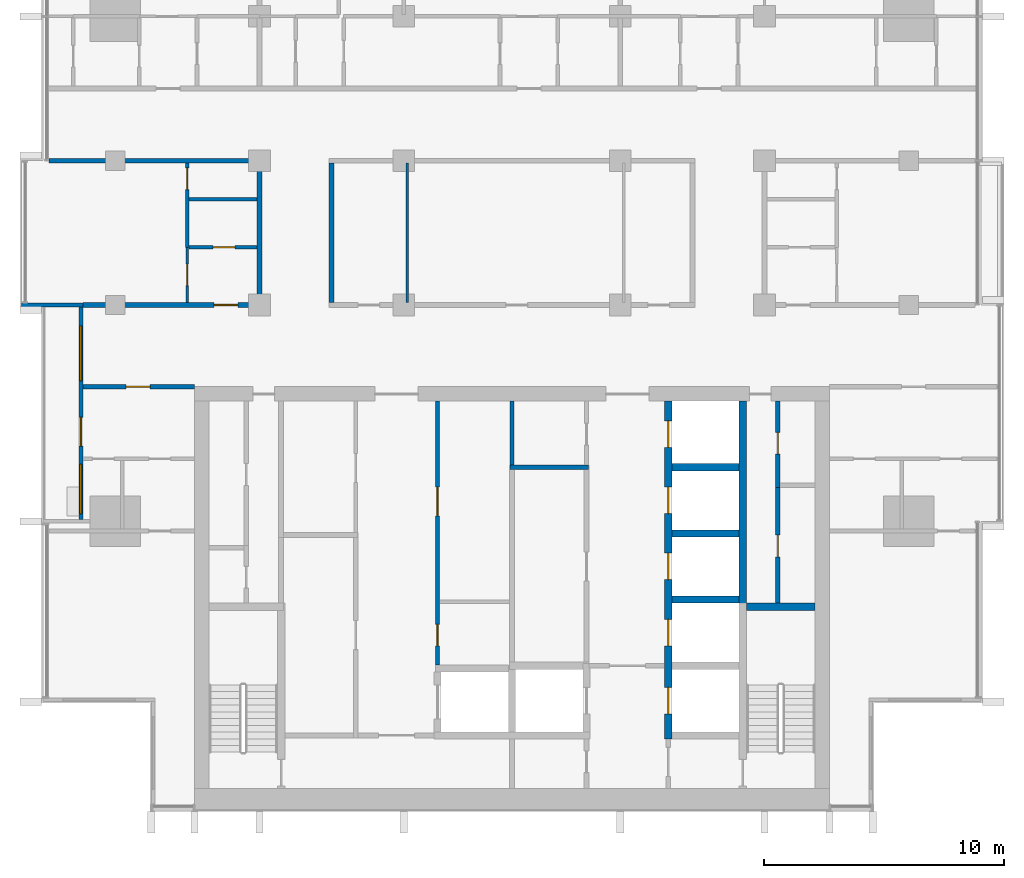
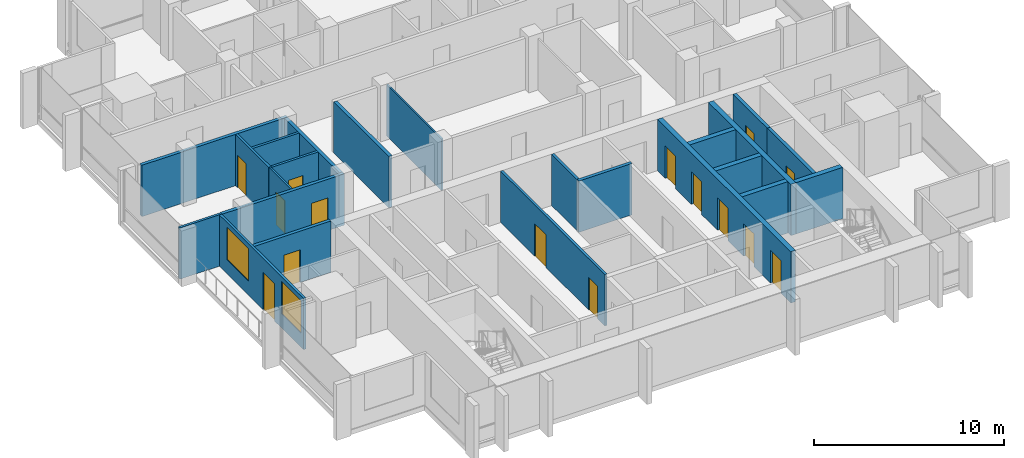
# One storey, part 8 of 16: 23 walls, 15 doors, 2 windows, 17 openings.
"""IFC4 building model written with IfcOpenShell, lengths in metres."""

from ifc_helpers import new_model, si_unit, direction, frame, frame_2d, origin, place, context, subcontext, project, spatial, rectangle, extrude, material, layer, layer_set, type_object, element, fill, save


model = new_model("IFC4")

# Units and contexts
model_context = context("Model", 3, precision=1e-05, world=origin(), true_north=direction((0.0, 1.0)))
body_context = subcontext(model_context, "Body", "Model", "MODEL_VIEW")
ifc_project = project(units=[si_unit("LENGTHUNIT", "METRE"), si_unit("AREAUNIT", "SQUARE_METRE"), si_unit("VOLUMEUNIT", "CUBIC_METRE"), si_unit("PLANEANGLEUNIT", "RADIAN"), si_unit("MASSUNIT", "GRAM", prefix="KILO")], contexts=[model_context])

# Site, building, storey
site_placement = place(None, origin())
site = spatial("IfcSite", under=ifc_project, at=site_placement, CompositionType="ELEMENT")
building_placement = place(site_placement, origin())
building = spatial("IfcBuilding", under=site, at=building_placement, Name="Finial Court Residences", CompositionType="ELEMENT")
storey_placement = place(building_placement, frame((0.0, 0.0, 215.89990234375)))
storey = spatial("IfcBuildingStorey", under=building, at=storey_placement, Name="L54", CompositionType="ELEMENT", Elevation=215.89990234375)

# Wall, openings, doors
ifc_material_1 = material(Name="Fire-rated gypsum board partition")
ifc_layer_1 = layer(ifc_material_1, 0.14990234375)
ifc_layer_set_1 = layer_set([ifc_layer_1], Name="Core room partition 150 EI 60")
wall_type_1 = type_object("IfcWallType", Name="Core room partition 150 EI 60", PredefinedType="PARTITIONING", material=ifc_layer_set_1)
wall_1_placement = place(storey_placement, frame((-3.10009765625, -8.5, 0.0), z_axis=(0.0, 0.0, 1.0), x_axis=(0.0, -1.0, 0.0)))
wall_1 = element("IfcWall", 1, at=wall_1_placement, inside=storey, type_object=wall_type_1, Name="Core partition L54-27", PredefinedType="PARTITIONING", context=body_context, shape_type="SweptSolid", body=[
    extrude(rectangle(XDim=10.969970703125, YDim=0.14990234375, at=frame_2d((5.48486328125, 0.0))), origin(), (0.0, 0.0, 1.0), 3.300048828125),
])
opening_1_placement = place(wall_1_placement, frame((9.280029296875, 0.0, 0.0)))
opening_1 = element("IfcOpeningElement", 2, at=opening_1_placement, cuts=wall_1, Name="Opening L54-C16", PredefinedType="OPENING", context=body_context, shape_type="SweptSolid", body=[
    extrude(rectangle(XDim=0.89990234375, YDim=2.10009765625, at=frame_2d((0.449951171875, 1.050048828125))), frame((0.0, 0.0849609375, 0.0), z_axis=(0.0, -1.0, 0.0), x_axis=(1.0, 0.0, 0.0)), (0.0, 0.0, 1.0), 0.169921875),
])
opening_2_placement = place(wall_1_placement, frame((3.570068359375, 0.0, 0.0)))
opening_2 = element("IfcOpeningElement", 3, at=opening_2_placement, cuts=wall_1, Name="Opening L54-C17", PredefinedType="OPENING", context=body_context, shape_type="SweptSolid", body=[
    extrude(rectangle(XDim=1.199951171875, YDim=2.10009765625, at=frame_2d((0.60009765625, 1.050048828125))), frame((0.0, 0.0849609375, 0.0), z_axis=(0.0, -1.0, 0.0), x_axis=(1.0, 0.0, 0.0)), (0.0, 0.0, 1.0), 0.169921875),
])
ifc_material_2 = material(Name="Steel fire door", Category="steel")
door_type_1 = type_object("IfcDoorType", Name="Core room door 1200 x 2100 EI 60", OperationType="NOTDEFINED", PredefinedType="DOOR", material=ifc_material_2)
door_1_placement = place(opening_2_placement, origin())
door_1 = element("IfcDoor", 4, at=door_1_placement, inside=storey, type_object=door_type_1, Name="Core room door L54-C17", OperationType="SINGLE_SWING_RIGHT", OverallHeight=2.10009765625, OverallWidth=1.199951171875, PredefinedType="DOOR", context=body_context, shape_type="SweptSolid", body=[
    extrude(rectangle(XDim=1.199951171875, YDim=2.10009765625, at=frame_2d((0.60009765625, 1.050048828125))), frame((0.0, 0.02490234375, 0.0), z_axis=(0.0, -1.0, 0.0), x_axis=(1.0, 0.0, 0.0)), (0.0, 0.0, 1.0), 0.050048828125),
])
fill(opening_2, door_1)
door_type_2 = type_object("IfcDoorType", Name="Core room door 900 x 2100 EI 60", OperationType="NOTDEFINED", PredefinedType="DOOR", material=ifc_material_2)
door_2_placement = place(opening_1_placement, origin())
door_2 = element("IfcDoor", 5, at=door_2_placement, inside=storey, type_object=door_type_2, Name="Core room door L54-C16", OperationType="SINGLE_SWING_RIGHT", OverallHeight=2.10009765625, OverallWidth=0.89990234375, PredefinedType="DOOR", context=body_context, shape_type="SweptSolid", body=[
    extrude(rectangle(XDim=0.89990234375, YDim=2.10009765625, at=frame_2d((0.449951171875, 1.050048828125))), frame((0.0, 0.02490234375, 0.0), z_axis=(0.0, -1.0, 0.0), x_axis=(1.0, 0.0, 0.0)), (0.0, 0.0, 1.0), 0.050048828125),
])
fill(opening_1, door_2)

# Wall
wall_2_placement = place(storey_placement, frame((0.0, -11.14990234375, 0.0), z_axis=(0.0, 0.0, 1.0), x_axis=(0.0, 1.0, 0.0)))
element("IfcWall", 6, at=wall_2_placement, inside=storey, type_object=wall_type_1, Name="Core partition L54-31", PredefinedType="PARTITIONING", context=body_context, shape_type="SweptSolid", body=[
    extrude(rectangle(XDim=2.64990234375, YDim=0.14990234375, at=frame_2d((1.324951171875, 0.0))), origin(), (0.0, 0.0, 1.0), 3.300048828125),
])

# Wall, opening, door
ifc_material_3 = material(Name="Gypsum board")
ifc_layer_2 = layer(ifc_material_3, 0.02490234375)
ifc_material_4 = material(Name="Acoustic mineral wool in double frame")
ifc_layer_3 = layer(ifc_material_4, 0.14990234375)
ifc_layer_4 = layer(ifc_material_3, 0.02490234375)
ifc_layer_set_2 = layer_set([ifc_layer_2, ifc_layer_3, ifc_layer_4], Name="Corridor wall 200, 1 hour")
wall_type_2 = type_object("IfcWallType", Name="Corridor wall 200, 1 hour", PredefinedType="PARTITIONING", material=ifc_layer_set_2)
wall_3_placement = place(storey_placement, frame((-17.85009765625, -7.89990234375, 0.0), z_axis=(0.0, 0.0, 1.0), x_axis=(1.0, 0.0, 0.0)))
wall_3 = element("IfcWall", 7, at=wall_3_placement, inside=storey, type_object=wall_type_2, Name="Partition L54-004", PredefinedType="PARTITIONING", context=body_context, shape_type="SweptSolid", body=[
    extrude(rectangle(XDim=4.650146484375, YDim=0.199951171875, at=frame_2d((2.3251953125, 0.0))), origin(), (0.0, 0.0, 1.0), 3.300048828125),
])
opening_3_placement = place(wall_3_placement, frame((1.800048828125, 0.0, 0.0)))
opening_3 = element("IfcOpeningElement", 8, at=opening_3_placement, cuts=wall_3, Name="Opening L54-D007", PredefinedType="OPENING", context=body_context, shape_type="SweptSolid", body=[
    extrude(rectangle(XDim=1.0, YDim=2.10009765625, at=frame_2d((0.5, 1.050048828125))), frame((0.0, 0.10986328125, 0.0), z_axis=(0.0, -1.0, 0.0), x_axis=(1.0, 0.0, 0.0)), (0.0, 0.0, 1.0), 0.219970703125),
])
ifc_material_5 = material(Name="Timber door leaf in hollow metal frame", Category="wood")
door_type_3 = type_object("IfcDoorType", Name="Fire door set 1000 x 2100, 30 minutes", OperationType="SINGLE_SWING_LEFT", PredefinedType="DOOR", material=ifc_material_5)
door_3_placement = place(opening_3_placement, origin())
door_3 = element("IfcDoor", 9, at=door_3_placement, inside=storey, type_object=door_type_3, Name="Door L54-D007", OperationType="SINGLE_SWING_LEFT", OverallHeight=2.10009765625, OverallWidth=1.0, PredefinedType="DOOR", context=body_context, shape_type="SweptSolid", body=[
    extrude(rectangle(XDim=1.0, YDim=2.10009765625, at=frame_2d((0.5, 1.050048828125))), frame((0.0, 0.02490234375, 0.0), z_axis=(0.0, -1.0, 0.0), x_axis=(1.0, 0.0, 0.0)), (0.0, 0.0, 1.0), 0.050048828125),
])
fill(opening_3, door_3)

wall_4_placement = place(storey_placement, frame((-17.85009765625, -4.5, 0.0), z_axis=(0.0, 0.0, 1.0), x_axis=(1.0, 0.0, 0.0)))
wall_4 = element("IfcWall", 10, at=wall_4_placement, inside=storey, type_object=wall_type_2, Name="Partition L54-006", PredefinedType="PARTITIONING", context=body_context, shape_type="SweptSolid", body=[
    extrude(rectangle(XDim=7.4501953125, YDim=0.199951171875, at=frame_2d((3.72509765625, 0.0))), origin(), (0.0, 0.0, 1.0), 3.300048828125),
])
opening_4_placement = place(wall_4_placement, frame((5.449951171875, 0.0, 0.0)))
opening_4 = element("IfcOpeningElement", 11, at=opening_4_placement, cuts=wall_4, Name="Opening L54-D009", PredefinedType="OPENING", context=body_context, shape_type="SweptSolid", body=[
    extrude(rectangle(XDim=1.0, YDim=2.10009765625, at=frame_2d((0.5, 1.050048828125))), frame((0.0, 0.10986328125, 0.0), z_axis=(0.0, -1.0, 0.0), x_axis=(1.0, 0.0, 0.0)), (0.0, 0.0, 1.0), 0.219970703125),
])
door_4_placement = place(opening_4_placement, origin())
door_4 = element("IfcDoor", 12, at=door_4_placement, inside=storey, type_object=door_type_3, Name="Door L54-D009", OperationType="SINGLE_SWING_LEFT", OverallHeight=2.10009765625, OverallWidth=1.0, PredefinedType="DOOR", context=body_context, shape_type="SweptSolid", body=[
    extrude(rectangle(XDim=1.0, YDim=2.10009765625, at=frame_2d((0.5, 1.050048828125))), frame((0.0, 0.02490234375, 0.0), z_axis=(0.0, -1.0, 0.0), x_axis=(1.0, 0.0, 0.0)), (0.0, 0.0, 1.0), 0.050048828125),
])
fill(opening_4, door_4)

# Walls
wall_5_placement = place(storey_placement, frame((-19.262451171875, 1.5, 0.0), z_axis=(0.0, 0.0, 1.0), x_axis=(1.0, 0.0, 0.0)))
element("IfcWall", 13, at=wall_5_placement, inside=storey, type_object=wall_type_2, Name="Partition L54-013", PredefinedType="PARTITIONING", context=body_context, shape_type="SweptSolid", body=[
    extrude(rectangle(XDim=8.862548828125, YDim=0.199951171875, at=frame_2d((4.43115234375, 0.0))), origin(), (0.0, 0.0, 1.0), 3.300048828125),
])
for number, where, z_axis, x_axis, name in (
    (14, (-10.5, -4.39990234375, 0.0), (0.0, 0.0, 1.0), (0.0, 1.0, 0.0), "Partition L54-038"),
    (15, (-7.5, -4.39990234375, 0.0), (0.0, 0.0, 1.0), (0.0, 1.0, 0.0), "Partition L54-042"),
):
    element("IfcWall", number, at=place(storey_placement, frame(where, z_axis=z_axis, x_axis=x_axis)), inside=storey, type_object=wall_type_2, Name=name, PredefinedType="PARTITIONING", context=body_context, shape_type="SweptSolid", body=[
        extrude(rectangle(XDim=5.7998046875, YDim=0.199951171875, at=frame_2d((2.89990234375, 0.0))), origin(), (0.0, 0.0, 1.0), 3.300048828125),
    ])

# Wall, opening, door
ifc_layer_5 = layer(ifc_material_3, 0.012451171875)
ifc_material_6 = material(Name="Mineral wool in light-gauge frame")
ifc_layer_6 = layer(ifc_material_6, 0.074951171875)
ifc_layer_7 = layer(ifc_material_3, 0.012451171875)
ifc_layer_set_3 = layer_set([ifc_layer_5, ifc_layer_6, ifc_layer_7], Name="Gypsum board partition 100")
wall_type_3 = type_object("IfcWallType", Name="Gypsum board partition 100", PredefinedType="PARTITIONING", material=ifc_layer_set_3)
wall_6_placement = place(storey_placement, frame((-13.5, -4.39990234375, 0.0), z_axis=(0.0, 0.0, 1.0), x_axis=(0.0, 1.0, 0.0)))
wall_6 = element("IfcWall", 16, at=wall_6_placement, inside=storey, type_object=wall_type_3, Name="Partition L54-035", PredefinedType="PARTITIONING", context=body_context, shape_type="SweptSolid", body=[
    extrude(rectangle(XDim=2.2998046875, YDim=0.10009765625, at=frame_2d((1.14990234375, 0.0))), origin(), (0.0, 0.0, 1.0), 3.300048828125),
])
opening_5_placement = place(wall_6_placement, frame((0.699951171875, 0.0, 0.0)))
opening_5 = element("IfcOpeningElement", 17, at=opening_5_placement, cuts=wall_6, Name="Opening L54-D027", PredefinedType="OPENING", context=body_context, shape_type="SweptSolid", body=[
    extrude(rectangle(XDim=0.89990234375, YDim=2.10009765625, at=frame_2d((0.449951171875, 1.050048828125))), frame((0.0, 0.06005859375, 0.0), z_axis=(0.0, -1.0, 0.0), x_axis=(1.0, 0.0, 0.0)), (0.0, 0.0, 1.0), 0.1201171875),
])
ifc_material_7 = material(Name="Timber door leaf in timber frame", Category="wood")
door_type_4 = type_object("IfcDoorType", Name="Door set 900 x 2100", OperationType="SINGLE_SWING_LEFT", PredefinedType="DOOR", material=ifc_material_7)
door_5_placement = place(opening_5_placement, origin())
door_5 = element("IfcDoor", 18, at=door_5_placement, inside=storey, type_object=door_type_4, Name="Door L54-D027", OperationType="SINGLE_SWING_RIGHT", OverallHeight=2.10009765625, OverallWidth=0.89990234375, PredefinedType="DOOR", context=body_context, shape_type="SweptSolid", body=[
    extrude(rectangle(XDim=0.89990234375, YDim=2.10009765625, at=frame_2d((0.449951171875, 1.050048828125))), frame((0.0, 0.02490234375, 0.0), z_axis=(0.0, -1.0, 0.0), x_axis=(1.0, 0.0, 0.0)), (0.0, 0.0, 1.0), 0.050048828125),
])
fill(opening_5, door_5)

# Wall
wall_7_placement = place(storey_placement, frame((-4.35009765625, -4.39990234375, 0.0), z_axis=(0.0, 0.0, 1.0), x_axis=(0.0, 1.0, 0.0)))
element("IfcWall", 19, at=wall_7_placement, inside=storey, type_object=wall_type_3, Name="Partition L54-047", PredefinedType="PARTITIONING", context=body_context, shape_type="SweptSolid", body=[
    extrude(rectangle(XDim=5.7998046875, YDim=0.10009765625, at=frame_2d((2.89990234375, 0.0))), origin(), (0.0, 0.0, 1.0), 3.300048828125),
])

# Wall, opening, door
ifc_material_8 = material(Name="Moisture-resistant gypsum board")
ifc_layer_8 = layer(ifc_material_8, 0.012451171875)
ifc_layer_9 = layer(ifc_material_6, 0.125)
ifc_layer_10 = layer(ifc_material_8, 0.012451171875)
ifc_layer_set_4 = layer_set([ifc_layer_8, ifc_layer_9, ifc_layer_10], Name="Gypsum board wet-area partition 150")
wall_type_4 = type_object("IfcWallType", Name="Gypsum board wet-area partition 150", PredefinedType="PARTITIONING", material=ifc_layer_set_4)
wall_8_placement = place(storey_placement, frame((-13.425048828125, -2.10009765625, 0.0), z_axis=(0.0, 0.0, 1.0), x_axis=(1.0, 0.0, 0.0)))
wall_8 = element("IfcWall", 20, at=wall_8_placement, inside=storey, type_object=wall_type_4, Name="Partition L54-009", PredefinedType="PARTITIONING", context=body_context, shape_type="SweptSolid", body=[
    extrude(rectangle(XDim=2.824951171875, YDim=0.14990234375, at=frame_2d((1.41259765625, 0.0))), origin(), (0.0, 0.0, 1.0), 3.300048828125),
])
opening_6_placement = place(wall_8_placement, frame((1.0, 0.0, 0.0)))
opening_6 = element("IfcOpeningElement", 21, at=opening_6_placement, cuts=wall_8, Name="Opening L54-D014", PredefinedType="OPENING", context=body_context, shape_type="SweptSolid", body=[
    extrude(rectangle(XDim=0.89990234375, YDim=2.10009765625, at=frame_2d((0.449951171875, 1.050048828125))), frame((0.0, 0.0849609375, 0.0), z_axis=(0.0, -1.0, 0.0), x_axis=(1.0, 0.0, 0.0)), (0.0, 0.0, 1.0), 0.169921875),
])
door_6_placement = place(opening_6_placement, origin())
door_6 = element("IfcDoor", 22, at=door_6_placement, inside=storey, type_object=door_type_4, Name="Door L54-D014", OperationType="SINGLE_SWING_RIGHT", OverallHeight=2.10009765625, OverallWidth=0.89990234375, PredefinedType="DOOR", context=body_context, shape_type="SweptSolid", body=[
    extrude(rectangle(XDim=0.89990234375, YDim=2.10009765625, at=frame_2d((0.449951171875, 1.050048828125))), frame((0.0, 0.02490234375, 0.0), z_axis=(0.0, -1.0, 0.0), x_axis=(1.0, 0.0, 0.0)), (0.0, 0.0, 1.0), 0.050048828125),
])
fill(opening_6, door_6)

# Wall
wall_9_placement = place(storey_placement, frame((-13.425048828125, -0.10009765625, 0.0), z_axis=(0.0, 0.0, 1.0), x_axis=(1.0, 0.0, 0.0)))
element("IfcWall", 23, at=wall_9_placement, inside=storey, type_object=wall_type_4, Name="Partition L54-011", PredefinedType="PARTITIONING", context=body_context, shape_type="SweptSolid", body=[
    extrude(rectangle(XDim=2.824951171875, YDim=0.14990234375, at=frame_2d((1.41259765625, 0.0))), origin(), (0.0, 0.0, 1.0), 3.300048828125),
])

# Wall, opening, door
wall_10_placement = place(storey_placement, frame((-13.5, -2.10009765625, 0.0), z_axis=(0.0, 0.0, 1.0), x_axis=(0.0, 1.0, 0.0)))
wall_10 = element("IfcWall", 24, at=wall_10_placement, inside=storey, type_object=wall_type_4, Name="Partition L54-036", PredefinedType="PARTITIONING", context=body_context, shape_type="SweptSolid", body=[
    extrude(rectangle(XDim=3.5, YDim=0.14990234375, at=frame_2d((1.75, 0.0))), origin(), (0.0, 0.0, 1.0), 3.300048828125),
])
opening_7_placement = place(wall_10_placement, frame((2.39990234375, 0.0, 0.0)))
opening_7 = element("IfcOpeningElement", 25, at=opening_7_placement, cuts=wall_10, Name="Opening L54-D028", PredefinedType="OPENING", context=body_context, shape_type="SweptSolid", body=[
    extrude(rectangle(XDim=0.89990234375, YDim=2.10009765625, at=frame_2d((0.449951171875, 1.050048828125))), frame((0.0, 0.0849609375, 0.0), z_axis=(0.0, -1.0, 0.0), x_axis=(1.0, 0.0, 0.0)), (0.0, 0.0, 1.0), 0.169921875),
])
door_7_placement = place(opening_7_placement, origin())
door_7 = element("IfcDoor", 26, at=door_7_placement, inside=storey, type_object=door_type_4, Name="Door L54-D028", OperationType="SINGLE_SWING_RIGHT", OverallHeight=2.10009765625, OverallWidth=0.89990234375, PredefinedType="DOOR", context=body_context, shape_type="SweptSolid", body=[
    extrude(rectangle(XDim=0.89990234375, YDim=2.10009765625, at=frame_2d((0.449951171875, 1.050048828125))), frame((0.0, 0.02490234375, 0.0), z_axis=(0.0, -1.0, 0.0), x_axis=(1.0, 0.0, 0.0)), (0.0, 0.0, 1.0), 0.050048828125),
])
fill(opening_7, door_7)

# Walls
ifc_material_9 = material(Name="Concrete C60/75", Category="concrete")
ifc_layer_11 = layer(ifc_material_9, 0.300048828125)
ifc_layer_set_5 = layer_set([ifc_layer_11], Name="Lift shaft and stair wall 300 Concrete C60/75")
wall_type_5 = type_object("IfcWallType", Name="Lift shaft and stair wall 300 Concrete C60/75", PredefinedType="SHEAR", material=ifc_layer_set_5)
wall_11_placement = place(storey_placement, frame((9.75, -17.050048828125, 0.0), z_axis=(0.0, 0.0, 1.0), x_axis=(1.0, 0.0, 0.0)))
element("IfcWall", 27, at=wall_11_placement, inside=storey, type_object=wall_type_5, Name="Core wall L54-10", PredefinedType="SHEAR", context=body_context, shape_type="SweptSolid", body=[
    extrude(rectangle(XDim=2.85009765625, YDim=0.300048828125, at=frame_2d((1.425048828125, 0.0))), origin(), (0.0, 0.0, 1.0), 3.300048828125),
])
for number, where, z_axis, x_axis, name in (
    (28, (6.64990234375, -16.75, 0.0), (0.0, 0.0, 1.0), (1.0, 0.0, 0.0), "Core wall L54-12"),
    (29, (6.64990234375, -14.0, 0.0), (0.0, 0.0, 1.0), (1.0, 0.0, 0.0), "Core wall L54-15"),
    (30, (6.64990234375, -11.25, 0.0), (0.0, 0.0, 1.0), (1.0, 0.0, 0.0), "Core wall L54-18"),
):
    element("IfcWall", number, at=place(storey_placement, frame(where, z_axis=z_axis, x_axis=x_axis)), inside=storey, type_object=wall_type_5, Name=name, PredefinedType="SHEAR", context=body_context, shape_type="SweptSolid", body=[
        extrude(rectangle(XDim=2.800048828125, YDim=0.300048828125, at=frame_2d((1.39990234375, 0.0))), origin(), (0.0, 0.0, 1.0), 3.300048828125),
    ])

# Wall, openings, doors
wall_12_placement = place(storey_placement, frame((6.5, -22.550048828125, 0.0), z_axis=(0.0, 0.0, 1.0), x_axis=(0.0, 1.0, 0.0)))
wall_12 = element("IfcWall", 31, at=wall_12_placement, inside=storey, type_object=wall_type_5, Name="Core wall L54-37", PredefinedType="SHEAR", context=body_context, shape_type="SweptSolid", body=[
    extrude(rectangle(XDim=14.050048828125, YDim=0.300048828125, at=frame_2d((7.02490234375, 0.0))), origin(), (0.0, 0.0, 1.0), 3.300048828125),
])
opening_8_placement = place(wall_12_placement, frame((1.050048828125, 0.0, 0.0)))
opening_8 = element("IfcOpeningElement", 32, at=opening_8_placement, cuts=wall_12, Name="Opening L54-LD02", PredefinedType="OPENING", context=body_context, shape_type="SweptSolid", body=[
    extrude(rectangle(XDim=1.10009765625, YDim=2.10009765625, at=frame_2d((0.550048828125, 1.050048828125))), frame((0.0, 0.159912109375, 0.0), z_axis=(0.0, -1.0, 0.0), x_axis=(1.0, 0.0, 0.0)), (0.0, 0.0, 1.0), 0.320068359375),
])
opening_9_placement = place(wall_12_placement, frame((3.875, 0.0, 0.0)))
opening_9 = element("IfcOpeningElement", 33, at=opening_9_placement, cuts=wall_12, Name="Opening L54-LD03", PredefinedType="OPENING", context=body_context, shape_type="SweptSolid", body=[
    extrude(rectangle(XDim=1.10009765625, YDim=2.10009765625, at=frame_2d((0.550048828125, 1.050048828125))), frame((0.0, 0.159912109375, 0.0), z_axis=(0.0, -1.0, 0.0), x_axis=(1.0, 0.0, 0.0)), (0.0, 0.0, 1.0), 0.320068359375),
])
opening_10_placement = place(wall_12_placement, frame((6.625, 0.0, 0.0)))
opening_10 = element("IfcOpeningElement", 34, at=opening_10_placement, cuts=wall_12, Name="Opening L54-LD04", PredefinedType="OPENING", context=body_context, shape_type="SweptSolid", body=[
    extrude(rectangle(XDim=1.10009765625, YDim=2.10009765625, at=frame_2d((0.550048828125, 1.050048828125))), frame((0.0, 0.159912109375, 0.0), z_axis=(0.0, -1.0, 0.0), x_axis=(1.0, 0.0, 0.0)), (0.0, 0.0, 1.0), 0.320068359375),
])
opening_11_placement = place(wall_12_placement, frame((9.375, 0.0, 0.0)))
opening_11 = element("IfcOpeningElement", 35, at=opening_11_placement, cuts=wall_12, Name="Opening L54-LD05", PredefinedType="OPENING", context=body_context, shape_type="SweptSolid", body=[
    extrude(rectangle(XDim=1.10009765625, YDim=2.10009765625, at=frame_2d((0.550048828125, 1.050048828125))), frame((0.0, 0.159912109375, 0.0), z_axis=(0.0, -1.0, 0.0), x_axis=(1.0, 0.0, 0.0)), (0.0, 0.0, 1.0), 0.320068359375),
])
opening_12_placement = place(wall_12_placement, frame((12.125, 0.0, 0.0)))
opening_12 = element("IfcOpeningElement", 36, at=opening_12_placement, cuts=wall_12, Name="Opening L54-LD06", PredefinedType="OPENING", context=body_context, shape_type="SweptSolid", body=[
    extrude(rectangle(XDim=1.10009765625, YDim=2.10009765625, at=frame_2d((0.550048828125, 1.050048828125))), frame((0.0, 0.159912109375, 0.0), z_axis=(0.0, -1.0, 0.0), x_axis=(1.0, 0.0, 0.0)), (0.0, 0.0, 1.0), 0.320068359375),
])
ifc_material_10 = material(Name="Stainless steel lift door", Category="steel")
door_type_5 = type_object("IfcDoorType", Name="Lift landing door 1100 x 2100 EI 90", OperationType="DOUBLE_DOOR_SLIDING", PredefinedType="DOOR", material=ifc_material_10)
door_8_placement = place(opening_8_placement, origin())
door_8 = element("IfcDoor", 37, at=door_8_placement, inside=storey, type_object=door_type_5, Name="Lift landing door FF2 L54", OperationType="DOUBLE_DOOR_SLIDING", OverallHeight=2.10009765625, OverallWidth=1.10009765625, PredefinedType="DOOR", context=body_context, shape_type="SweptSolid", body=[
    extrude(rectangle(XDim=1.10009765625, YDim=2.10009765625, at=frame_2d((0.550048828125, 1.050048828125))), frame((0.0, 0.02490234375, 0.0), z_axis=(0.0, -1.0, 0.0), x_axis=(1.0, 0.0, 0.0)), (0.0, 0.0, 1.0), 0.050048828125),
])
fill(opening_8, door_8)
door_9_placement = place(opening_9_placement, origin())
door_9 = element("IfcDoor", 38, at=door_9_placement, inside=storey, type_object=door_type_5, Name="Lift landing door HR5 L54", OperationType="DOUBLE_DOOR_SLIDING", OverallHeight=2.10009765625, OverallWidth=1.10009765625, PredefinedType="DOOR", context=body_context, shape_type="SweptSolid", body=[
    extrude(rectangle(XDim=1.10009765625, YDim=2.10009765625, at=frame_2d((0.550048828125, 1.050048828125))), frame((0.0, 0.02490234375, 0.0), z_axis=(0.0, -1.0, 0.0), x_axis=(1.0, 0.0, 0.0)), (0.0, 0.0, 1.0), 0.050048828125),
])
fill(opening_9, door_9)
door_10_placement = place(opening_10_placement, origin())
door_10 = element("IfcDoor", 39, at=door_10_placement, inside=storey, type_object=door_type_5, Name="Lift landing door HR6 L54", OperationType="DOUBLE_DOOR_SLIDING", OverallHeight=2.10009765625, OverallWidth=1.10009765625, PredefinedType="DOOR", context=body_context, shape_type="SweptSolid", body=[
    extrude(rectangle(XDim=1.10009765625, YDim=2.10009765625, at=frame_2d((0.550048828125, 1.050048828125))), frame((0.0, 0.02490234375, 0.0), z_axis=(0.0, -1.0, 0.0), x_axis=(1.0, 0.0, 0.0)), (0.0, 0.0, 1.0), 0.050048828125),
])
fill(opening_10, door_10)
door_11_placement = place(opening_11_placement, origin())
door_11 = element("IfcDoor", 40, at=door_11_placement, inside=storey, type_object=door_type_5, Name="Lift landing door HR7 L54", OperationType="DOUBLE_DOOR_SLIDING", OverallHeight=2.10009765625, OverallWidth=1.10009765625, PredefinedType="DOOR", context=body_context, shape_type="SweptSolid", body=[
    extrude(rectangle(XDim=1.10009765625, YDim=2.10009765625, at=frame_2d((0.550048828125, 1.050048828125))), frame((0.0, 0.02490234375, 0.0), z_axis=(0.0, -1.0, 0.0), x_axis=(1.0, 0.0, 0.0)), (0.0, 0.0, 1.0), 0.050048828125),
])
fill(opening_11, door_11)
door_12_placement = place(opening_12_placement, origin())
door_12 = element("IfcDoor", 41, at=door_12_placement, inside=storey, type_object=door_type_5, Name="Lift landing door HR8 L54", OperationType="DOUBLE_DOOR_SLIDING", OverallHeight=2.10009765625, OverallWidth=1.10009765625, PredefinedType="DOOR", context=body_context, shape_type="SweptSolid", body=[
    extrude(rectangle(XDim=1.10009765625, YDim=2.10009765625, at=frame_2d((0.550048828125, 1.050048828125))), frame((0.0, 0.02490234375, 0.0), z_axis=(0.0, -1.0, 0.0), x_axis=(1.0, 0.0, 0.0)), (0.0, 0.0, 1.0), 0.050048828125),
])
fill(opening_12, door_12)

# Walls
wall_13_placement = place(storey_placement, frame((9.60009765625, -17.199951171875, 0.0), z_axis=(0.0, 0.0, 1.0), x_axis=(0.0, 1.0, 0.0)))
element("IfcWall", 42, at=wall_13_placement, inside=storey, type_object=wall_type_5, Name="Core wall L54-39", PredefinedType="SHEAR", context=body_context, shape_type="SweptSolid", body=[
    extrude(rectangle(XDim=8.699951171875, YDim=0.300048828125, at=frame_2d((4.35009765625, 0.0))), origin(), (0.0, 0.0, 1.0), 3.300048828125),
])
ifc_material_11 = material(Name="Natural limestone", Category="masonry")
ifc_layer_12 = layer(ifc_material_11, 0.14990234375)
ifc_layer_set_6 = layer_set([ifc_layer_12], Name="Limestone clad wall 150")
wall_type_6 = type_object("IfcWallType", Name="Limestone clad wall 150", PredefinedType="SOLIDWALL", material=ifc_layer_set_6)
wall_14_placement = place(storey_placement, frame((-17.85009765625, -4.5, 0.0), z_axis=(0.0, 0.0, 1.0), x_axis=(-1.0, 0.0, 0.0)))
element("IfcWall", 43, at=wall_14_placement, inside=storey, type_object=wall_type_6, Name="E-L54-BALW2-P2", PredefinedType="SOLIDWALL", context=body_context, shape_type="SweptSolid", body=[
    extrude(rectangle(XDim=2.5498046875, YDim=0.14990234375, at=frame_2d((1.27490234375, 0.0))), origin(), (0.0, 0.0, 1.0), 3.300048828125),
])

# Wall, openings, door, windows
wall_15_placement = place(storey_placement, frame((-17.925048828125, -13.425048828125, 0.0), z_axis=(0.0, 0.0, 1.0), x_axis=(0.0, 1.0, 0.0)))
wall_15 = element("IfcWall", 44, at=wall_15_placement, inside=storey, type_object=wall_type_6, Name="E-L54-L54-BALW2-W", PredefinedType="SOLIDWALL", context=body_context, shape_type="SweptSolid", body=[
    extrude(rectangle(XDim=8.85009765625, YDim=0.14990234375, at=frame_2d((4.425048828125, 0.0))), origin(), (0.0, 0.0, 1.0), 3.300048828125),
])
opening_13_placement = place(wall_15_placement, frame((3.050048828125, 0.0, 0.0)))
opening_13 = element("IfcOpeningElement", 45, at=opening_13_placement, cuts=wall_15, Name="Opening DE54-01", PredefinedType="OPENING", context=body_context, shape_type="SweptSolid", body=[
    extrude(rectangle(XDim=1.199951171875, YDim=2.39990234375, at=frame_2d((0.60009765625, 1.199951171875))), frame((0.0, 0.0849609375, 0.0), z_axis=(0.0, -1.0, 0.0), x_axis=(1.0, 0.0, 0.0)), (0.0, 0.0, 1.0), 0.169921875),
])
opening_14_placement = place(wall_15_placement, frame((0.25, 0.0, 0.89990234375)))
opening_14 = element("IfcOpeningElement", 46, at=opening_14_placement, cuts=wall_15, Name="Opening WE54-09", PredefinedType="OPENING", context=body_context, shape_type="SweptSolid", body=[
    extrude(rectangle(XDim=2.050048828125, YDim=2.10009765625, at=frame_2d((1.02490234375, 1.050048828125))), frame((0.0, 0.0849609375, 0.0), z_axis=(0.0, -1.0, 0.0), x_axis=(1.0, 0.0, 0.0)), (0.0, 0.0, 1.0), 0.169921875),
])
opening_15_placement = place(wall_15_placement, frame((5.77490234375, 0.0, 0.89990234375)))
opening_15 = element("IfcOpeningElement", 47, at=opening_15_placement, cuts=wall_15, Name="Opening WE54-10", PredefinedType="OPENING", context=body_context, shape_type="SweptSolid", body=[
    extrude(rectangle(XDim=2.27490234375, YDim=2.10009765625, at=frame_2d((1.137451171875, 1.050048828125))), frame((0.0, 0.0849609375, 0.0), z_axis=(0.0, -1.0, 0.0), x_axis=(1.0, 0.0, 0.0)), (0.0, 0.0, 1.0), 0.169921875),
])
ifc_material_12 = material(Name="Bronze anodised aluminium", Category="aluminium")
door_type_6 = type_object("IfcDoorType", Name="Balcony door 1200 x 2400", OperationType="SINGLE_SWING_LEFT", PredefinedType="DOOR", material=ifc_material_12)
door_13_placement = place(opening_13_placement, origin())
door_13 = element("IfcDoor", 48, at=door_13_placement, inside=storey, type_object=door_type_6, Name="E-L54-L54-BALW2-W-D", OperationType="SINGLE_SWING_LEFT", OverallHeight=2.39990234375, OverallWidth=1.199951171875, PredefinedType="DOOR", context=body_context, shape_type="SweptSolid", body=[
    extrude(rectangle(XDim=1.199951171875, YDim=2.39990234375, at=frame_2d((0.60009765625, 1.199951171875))), frame((0.0, 0.02490234375, 0.0), z_axis=(0.0, -1.0, 0.0), x_axis=(1.0, 0.0, 0.0)), (0.0, 0.0, 1.0), 0.050048828125),
])
fill(opening_13, door_13)
ifc_material_13 = material(Name="Clear low-e glass", Category="glass")
window_type_1 = type_object("IfcWindowType", Name="Balcony window 2050 x 2100", PartitioningType="SINGLE_PANEL", PredefinedType="WINDOW", material=ifc_material_13)
window_1_placement = place(opening_14_placement, origin())
window_1 = element("IfcWindow", 49, at=window_1_placement, inside=storey, type_object=window_type_1, Name="E-L54-L54-BALW2-W-W1", OverallHeight=2.10009765625, OverallWidth=2.050048828125, PartitioningType="SINGLE_PANEL", PredefinedType="WINDOW", context=body_context, shape_type="SweptSolid", body=[
    extrude(rectangle(XDim=2.050048828125, YDim=2.10009765625, at=frame_2d((1.02490234375, 1.050048828125))), frame((0.0, 0.030029296875, 0.0), z_axis=(0.0, -1.0, 0.0), x_axis=(1.0, 0.0, 0.0)), (0.0, 0.0, 1.0), 0.06005859375),
])
fill(opening_14, window_1)
window_type_2 = type_object("IfcWindowType", Name="Balcony window 2275 x 2100", PartitioningType="SINGLE_PANEL", PredefinedType="WINDOW", material=ifc_material_13)
window_2_placement = place(opening_15_placement, origin())
window_2 = element("IfcWindow", 50, at=window_2_placement, inside=storey, type_object=window_type_2, Name="E-L54-L54-BALW2-W-W2", OverallHeight=2.10009765625, OverallWidth=2.27490234375, PartitioningType="SINGLE_PANEL", PredefinedType="WINDOW", context=body_context, shape_type="SweptSolid", body=[
    extrude(rectangle(XDim=2.27490234375, YDim=2.10009765625, at=frame_2d((1.137451171875, 1.050048828125))), frame((0.0, 0.030029296875, 0.0), z_axis=(0.0, -1.0, 0.0), x_axis=(1.0, 0.0, 0.0)), (0.0, 0.0, 1.0), 0.06005859375),
])
fill(opening_15, window_2)

# Wall
ifc_layer_13 = layer(ifc_material_1, 0.199951171875)
ifc_layer_set_7 = layer_set([ifc_layer_13], Name="Riser room wall 200 EI 120")
wall_type_7 = type_object("IfcWallType", Name="Riser room wall 200 EI 120", PredefinedType="PARTITIONING", material=ifc_layer_set_7)
wall_16_placement = place(storey_placement, frame((-0.074951171875, -11.25, 0.0), z_axis=(0.0, 0.0, 1.0), x_axis=(1.0, 0.0, 0.0)))
element("IfcWall", 51, at=wall_16_placement, inside=storey, type_object=wall_type_7, Name="Core partition L54-17", PredefinedType="PARTITIONING", context=body_context, shape_type="SweptSolid", body=[
    extrude(rectangle(XDim=3.25, YDim=0.199951171875, at=frame_2d((1.625, 0.0))), origin(), (0.0, 0.0, 1.0), 3.300048828125),
])

# Wall, opening, door
wall_17_placement = place(storey_placement, frame((11.050048828125, -8.5, 0.0), z_axis=(0.0, 0.0, 1.0), x_axis=(0.0, -1.0, 0.0)))
wall_17 = element("IfcWall", 52, at=wall_17_placement, inside=storey, type_object=wall_type_7, Name="Core partition L54-41", PredefinedType="PARTITIONING", context=body_context, shape_type="SweptSolid", body=[
    extrude(rectangle(XDim=3.60009765625, YDim=0.199951171875, at=frame_2d((1.800048828125, 0.0))), origin(), (0.0, 0.0, 1.0), 3.300048828125),
])
opening_16_placement = place(wall_17_placement, frame((1.300048828125, 0.0, 0.0)))
opening_16 = element("IfcOpeningElement", 53, at=opening_16_placement, cuts=wall_17, Name="Opening L54-C08", PredefinedType="OPENING", context=body_context, shape_type="SweptSolid", body=[
    extrude(rectangle(XDim=0.89990234375, YDim=2.10009765625, at=frame_2d((0.449951171875, 1.050048828125))), frame((0.0, 0.10986328125, 0.0), z_axis=(0.0, -1.0, 0.0), x_axis=(1.0, 0.0, 0.0)), (0.0, 0.0, 1.0), 0.219970703125),
])
door_type_7 = type_object("IfcDoorType", Name="Riser room door 900 x 2100 EI 90", OperationType="NOTDEFINED", PredefinedType="DOOR", material=ifc_material_2)
door_14_placement = place(opening_16_placement, origin())
door_14 = element("IfcDoor", 54, at=door_14_placement, inside=storey, type_object=door_type_7, Name="Riser room door L54-C08", OperationType="SINGLE_SWING_RIGHT", OverallHeight=2.10009765625, OverallWidth=0.89990234375, PredefinedType="DOOR", context=body_context, shape_type="SweptSolid", body=[
    extrude(rectangle(XDim=0.89990234375, YDim=2.10009765625, at=frame_2d((0.449951171875, 1.050048828125))), frame((0.0, 0.02490234375, 0.0), z_axis=(0.0, -1.0, 0.0), x_axis=(1.0, 0.0, 0.0)), (0.0, 0.0, 1.0), 0.050048828125),
])
fill(opening_16, door_14)

ifc_layer_14 = layer(ifc_material_1, 0.199951171875)
ifc_layer_set_8 = layer_set([ifc_layer_14], Name="Stair passage wall 200 EI 180")
wall_type_8 = type_object("IfcWallType", Name="Stair passage wall 200 EI 180", PredefinedType="PARTITIONING", material=ifc_layer_set_8)
wall_18_placement = place(storey_placement, frame((11.050048828125, -11.89990234375, 0.0), z_axis=(0.0, 0.0, 1.0), x_axis=(0.0, -1.0, 0.0)))
wall_18 = element("IfcWall", 55, at=wall_18_placement, inside=storey, type_object=wall_type_8, Name="Core partition L54-40", PredefinedType="PARTITIONING", context=body_context, shape_type="SweptSolid", body=[
    extrude(rectangle(XDim=5.0, YDim=0.199951171875, at=frame_2d((2.5, 0.0))), origin(), (0.0, 0.0, 1.0), 3.300048828125),
])
opening_17_placement = place(wall_18_placement, frame((2.175048828125, 0.0, 0.0)))
opening_17 = element("IfcOpeningElement", 56, at=opening_17_placement, cuts=wall_18, Name="Opening L54-C14", PredefinedType="OPENING", context=body_context, shape_type="SweptSolid", body=[
    extrude(rectangle(XDim=0.89990234375, YDim=2.10009765625, at=frame_2d((0.449951171875, 1.050048828125))), frame((0.0, 0.10986328125, 0.0), z_axis=(0.0, -1.0, 0.0), x_axis=(1.0, 0.0, 0.0)), (0.0, 0.0, 1.0), 0.219970703125),
])
door_15_placement = place(opening_17_placement, origin())
door_15 = element("IfcDoor", 57, at=door_15_placement, inside=storey, type_object=door_type_2, Name="Core room door L54-C14", OperationType="SINGLE_SWING_RIGHT", OverallHeight=2.10009765625, OverallWidth=0.89990234375, PredefinedType="DOOR", context=body_context, shape_type="SweptSolid", body=[
    extrude(rectangle(XDim=0.89990234375, YDim=2.10009765625, at=frame_2d((0.449951171875, 1.050048828125))), frame((0.0, 0.02490234375, 0.0), z_axis=(0.0, -1.0, 0.0), x_axis=(1.0, 0.0, 0.0)), (0.0, 0.0, 1.0), 0.050048828125),
])
fill(opening_17, door_15)

save(model, "model.ifc")
